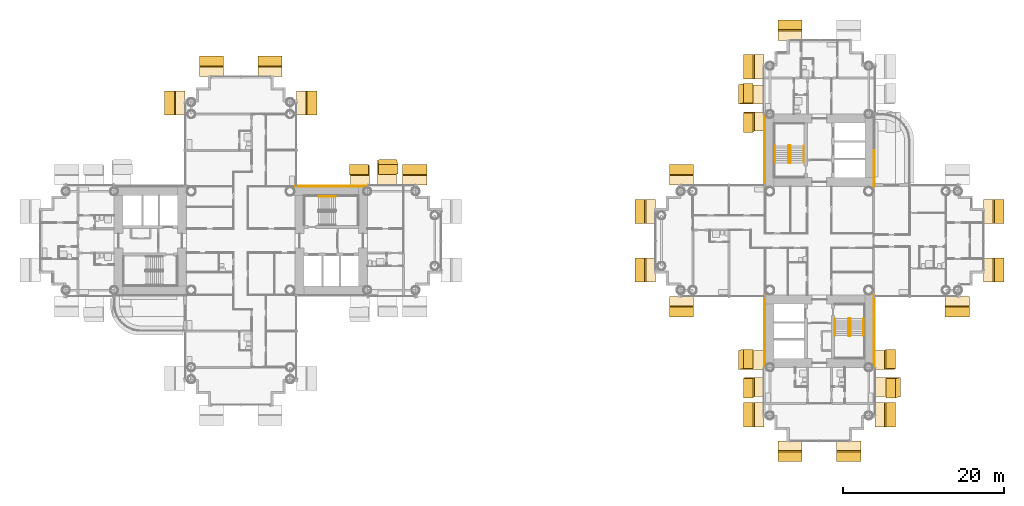
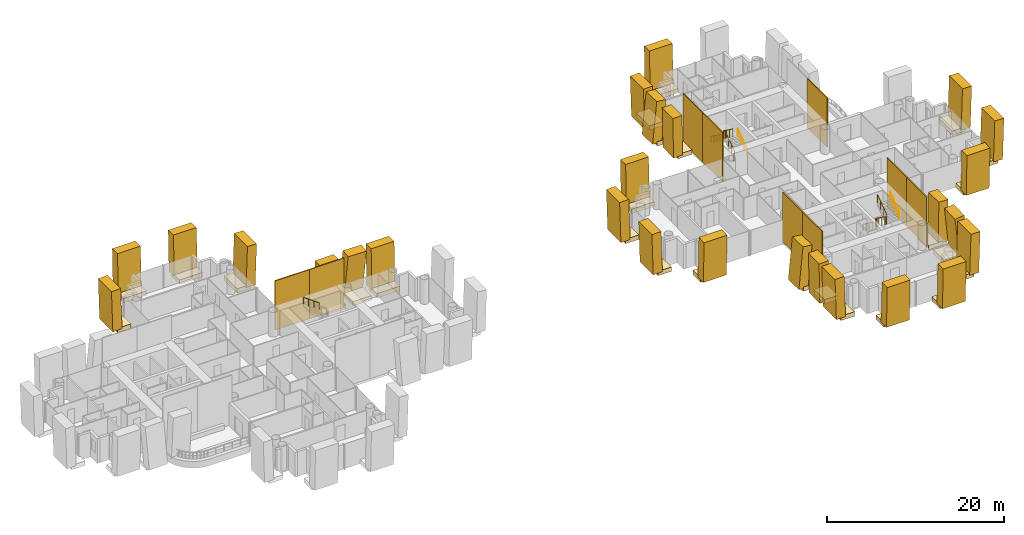
# One storey, part 23 of 25: 61 coverings, 7 railings.
"""IFC4 building model written with IfcOpenShell, lengths in metres."""

from ifc_helpers import new_model, si_unit, direction, frame, origin, origin_2d, place, context, subcontext, project, spatial, rectangle, circle, extrude, material, layer, layer_set, material_profile, profile_set, type_object, element, save


model = new_model("IFC4")

# Units and contexts
model_context = context("Model", 3, precision=1e-05, world=origin(), true_north=direction((0.0, 1.0)))
body_context = subcontext(model_context, "Body", "Model", "MODEL_VIEW")
ifc_project = project(units=[si_unit("LENGTHUNIT", "METRE"), si_unit("AREAUNIT", "SQUARE_METRE"), si_unit("VOLUMEUNIT", "CUBIC_METRE"), si_unit("PLANEANGLEUNIT", "RADIAN"), si_unit("MASSUNIT", "GRAM", prefix="KILO")], contexts=[model_context])

# Site, building, storey
site_placement = place(None, origin())
site = spatial("IfcSite", under=ifc_project, at=site_placement, CompositionType="ELEMENT")
building_placement = place(site_placement, origin())
building = spatial("IfcBuilding", under=site, at=building_placement, Name="Ipe Terrace Towers", CompositionType="ELEMENT")
storey_placement = place(building_placement, frame((0.0, 0.0, 65.300048828125)))
storey = spatial("IfcBuildingStorey", under=building, at=storey_placement, Name="L17", CompositionType="ELEMENT", Elevation=65.300048828125)

# Coverings
ifc_material_1 = material(Name="Concrete C50/60 precast, buff finish", Category="concrete")
ifc_layer = layer(ifc_material_1, 0.1201171875)
ifc_layer_set = layer_set([ifc_layer], Name="STONE CORE CLADDING 120")
covering_type_1 = type_object("IfcCoveringType", Name="STONE CORE CLADDING 120", PredefinedType="CLADDING", material=ifc_layer_set)
covering_1_placement = place(storey_placement, frame((-27.0, 6.81005859375, 0.0), z_axis=(0.0, 0.0, 1.0), x_axis=(-1.0, 0.0, 0.0)))
element("IfcCovering", 1, at=covering_1_placement, inside=storey, type_object=covering_type_1, Name="stone core cladding", PredefinedType="CLADDING", context=body_context, shape_type="SweptSolid", body=[
    extrude(rectangle(XDim=4.5, YDim=0.1201171875, at=origin_2d()), origin(), (0.0, 0.0, 1.0), 6.800048828125),
])
for number, where, z_axis, x_axis, name in (
    (2, (-22.4990234375, 6.81005859375, 0.0), (0.0, 0.0, 1.0), (-1.0, 0.0, 0.0), "stone core cladding"),
    (3, (29.18994140625, -13.5, 0.0), (0.0, 0.0, 1.0), (0.0, -1.0, 0.0), "stone core cladding"),
):
    element("IfcCovering", number, at=place(storey_placement, frame(where, z_axis=z_axis, x_axis=x_axis)), inside=storey, type_object=covering_type_1, Name=name, PredefinedType="CLADDING", context=body_context, shape_type="SweptSolid", body=[
        extrude(rectangle(XDim=4.5009765625, YDim=0.1201171875, at=origin_2d()), origin(), (0.0, 0.0, 1.0), 6.800048828125),
    ])
for number, where, z_axis, x_axis, name in (
    (4, (29.18994140625, -9.0, 0.0), (0.0, 0.0, 1.0), (0.0, -1.0, 0.0), "stone core cladding"),
    (5, (29.18994140625, 9.0, 0.0), (0.0, 0.0, 1.0), (0.0, -1.0, 0.0), "stone core cladding"),
):
    element("IfcCovering", number, at=place(storey_placement, frame(where, z_axis=z_axis, x_axis=x_axis)), inside=storey, type_object=covering_type_1, Name=name, PredefinedType="CLADDING", context=body_context, shape_type="SweptSolid", body=[
        extrude(rectangle(XDim=4.5, YDim=0.1201171875, at=origin_2d()), origin(), (0.0, 0.0, 1.0), 6.800048828125),
    ])
for number, where, z_axis, x_axis, name in (
    (6, (29.18994140625, 13.5, 0.0), (0.0, 0.0, 1.0), (0.0, -1.0, 0.0), "stone core cladding"),
    (7, (42.81005859375, -13.5, 0.0), (0.0, 0.0, 1.0), (0.0, 1.0, 0.0), "stone core cladding"),
):
    element("IfcCovering", number, at=place(storey_placement, frame(where, z_axis=z_axis, x_axis=x_axis)), inside=storey, type_object=covering_type_1, Name=name, PredefinedType="CLADDING", context=body_context, shape_type="SweptSolid", body=[
        extrude(rectangle(XDim=4.5009765625, YDim=0.1201171875, at=origin_2d()), origin(), (0.0, 0.0, 1.0), 6.800048828125),
    ])
for number, where, z_axis, x_axis, name in (
    (8, (42.81005859375, -9.0, 0.0), (0.0, 0.0, 1.0), (0.0, 1.0, 0.0), "stone core cladding"),
    (9, (42.81005859375, 9.0, 0.0), (0.0, 0.0, 1.0), (0.0, 1.0, 0.0), "stone core cladding"),
):
    element("IfcCovering", number, at=place(storey_placement, frame(where, z_axis=z_axis, x_axis=x_axis)), inside=storey, type_object=covering_type_1, Name=name, PredefinedType="CLADDING", context=body_context, shape_type="SweptSolid", body=[
        extrude(rectangle(XDim=4.5, YDim=0.1201171875, at=origin_2d()), origin(), (0.0, 0.0, 1.0), 6.800048828125),
    ])
ifc_material_2 = material(Name="Concrete C50/60 precast, buff finish", Category="concrete")
ifc_material_profile_1 = material_profile(ifc_material_2, rectangle(XDim=2.39990234375, YDim=1.199951171875, at=origin_2d()), Name="STONE FIN 2400 x 1200")
ifc_profile_set_1 = profile_set([ifc_material_profile_1], Name="Concrete C50/60 precast, buff finish")
covering_type_2 = type_object("IfcCoveringType", Name="STONE FIN 2400 x 1200", PredefinedType="USERDEFINED", material=ifc_profile_set_1)
covering_2_placement = place(storey_placement, frame((-21.156005859375, 8.693115234375, 0.0), z_axis=(-0.025701298827, 0.031582104491, 0.999170663057), x_axis=(-0.999669667059, -0.000811969321, -0.025688469539)))
element("IfcCovering", 10, at=covering_2_placement, inside=storey, type_object=covering_type_2, Name="stone fin", ObjectType="FIN", PredefinedType="USERDEFINED", context=body_context, shape_type="SweptSolid", body=[
    extrude(rectangle(XDim=2.39990234375, YDim=1.199951171875, at=origin_2d()), origin(), (0.0, 0.0, 1.0), 5.6044921875),
])
covering_3_placement = place(storey_placement, frame((-17.7939453125, 9.487060546875, 0.0), z_axis=(0.025559578294, -0.109472973473, 0.993661097174), x_axis=(-0.999673300612, -0.002798997469, 0.025405858689)))
element("IfcCovering", 11, at=covering_3_placement, inside=storey, type_object=covering_type_2, Name="stone fin", ObjectType="FIN", PredefinedType="USERDEFINED", context=body_context, shape_type="SweptSolid", body=[
    extrude(rectangle(XDim=2.39990234375, YDim=1.199951171875, at=origin_2d()), origin(), (0.0, 0.0, 1.0), 5.635498046875),
])
covering_4_placement = place(storey_placement, frame((27.306884765625, -18.2060546875, 0.0), z_axis=(-0.031582104491, -0.025701298827, 0.999170663057), x_axis=(0.000811969321, -0.999669667059, -0.025688469539)))
element("IfcCovering", 12, at=covering_4_placement, inside=storey, type_object=covering_type_2, Name="stone fin", ObjectType="FIN", PredefinedType="USERDEFINED", context=body_context, shape_type="SweptSolid", body=[
    extrude(rectangle(XDim=2.39990234375, YDim=1.199951171875, at=origin_2d()), origin(), (0.0, 0.0, 1.0), 5.6044921875),
])
for number, where, z_axis, x_axis, name in (
    (13, (26.512939453125, -14.843994140625, 0.0), (0.109472973473, 0.025559578294, 0.993661097174), (0.002798997469, -0.999673300612, 0.025405858689), "stone fin"),
    (14, (26.512939453125, 18.2060546875, 0.0), (0.109472973473, 0.025559578294, 0.993661097174), (0.002798997469, -0.999673300612, 0.025405858689), "stone fin"),
):
    element("IfcCovering", number, at=place(storey_placement, frame(where, z_axis=z_axis, x_axis=x_axis)), inside=storey, type_object=covering_type_2, Name=name, ObjectType="FIN", PredefinedType="USERDEFINED", context=body_context, shape_type="SweptSolid", body=[
        extrude(rectangle(XDim=2.39990234375, YDim=1.199951171875, at=origin_2d()), origin(), (0.0, 0.0, 1.0), 5.635498046875),
    ])
covering_5_placement = place(storey_placement, frame((27.306884765625, 14.843994140625, 0.0), z_axis=(-0.031582104491, -0.025701298827, 0.999170663057), x_axis=(0.000811969321, -0.999669667059, -0.025688469539)))
element("IfcCovering", 15, at=covering_5_placement, inside=storey, type_object=covering_type_2, Name="stone fin", ObjectType="FIN", PredefinedType="USERDEFINED", context=body_context, shape_type="SweptSolid", body=[
    extrude(rectangle(XDim=2.39990234375, YDim=1.199951171875, at=origin_2d()), origin(), (0.0, 0.0, 1.0), 5.6044921875),
])
covering_6_placement = place(storey_placement, frame((45.487060546875, -18.2060546875, 0.0), z_axis=(-0.109472973473, -0.025559578294, 0.993661097174), x_axis=(-0.002798997469, 0.999673300612, 0.025405858689)))
element("IfcCovering", 16, at=covering_6_placement, inside=storey, type_object=covering_type_2, Name="stone fin", ObjectType="FIN", PredefinedType="USERDEFINED", context=body_context, shape_type="SweptSolid", body=[
    extrude(rectangle(XDim=2.39990234375, YDim=1.199951171875, at=origin_2d()), origin(), (0.0, 0.0, 1.0), 5.635498046875),
])
covering_7_placement = place(storey_placement, frame((44.693115234375, -14.843994140625, 0.0), z_axis=(0.031582104491, 0.025701298827, 0.999170663057), x_axis=(-0.000811969321, 0.999669667059, -0.025688469539)))
element("IfcCovering", 17, at=covering_7_placement, inside=storey, type_object=covering_type_2, Name="stone fin", ObjectType="FIN", PredefinedType="USERDEFINED", context=body_context, shape_type="SweptSolid", body=[
    extrude(rectangle(XDim=2.39990234375, YDim=1.199951171875, at=origin_2d()), origin(), (0.0, 0.0, 1.0), 5.6044921875),
])
ifc_material_3 = material(Name="Concrete C50/60 precast, buff finish", Category="concrete")
ifc_material_profile_2 = material_profile(ifc_material_3, rectangle(XDim=3.0, YDim=1.199951171875, at=origin_2d()), Name="STONE FIN CORNER 3000 x 1200")
ifc_profile_set_2 = profile_set([ifc_material_profile_2], Name="Concrete C50/60 precast, buff finish")
covering_type_3 = type_object("IfcCoveringType", Name="STONE FIN CORNER 3000 x 1200", PredefinedType="USERDEFINED", material=ifc_profile_set_2)
for number, where, z_axis, x_axis, name in (
    (18, (-14.35009765625, 8.693115234375, 0.0), (0.0, 0.031592540548, 0.999500831106), (-1.0, 0.0, 0.0), "stone fin"),
    (19, (-27.306884765625, 17.14990234375, 0.0), (0.031592540548, 0.0, 0.999500831106), (0.0, 1.0, 0.0), "stone fin"),
    (20, (-32.35009765625, 22.193115234375, 0.0), (0.0, 0.031592540548, 0.999500831106), (-1.0, 0.0, 0.0), "stone fin"),
    (21, (-39.64990234375, 22.193115234375, 0.0), (0.0, 0.031592540548, 0.999500831106), (-1.0, 0.0, 0.0), "stone fin"),
    (22, (-44.693115234375, 17.14990234375, 0.0), (-0.031592540548, 0.0, 0.999500831106), (0.0, -1.0, 0.0), "stone fin"),
    (23, (13.806884765625, -3.64990234375, 0.0), (-0.031592540548, 0.0, 0.999500831106), (0.0, -1.0, 0.0), "stone fin"),
    (24, (13.806884765625, 3.64990234375, 0.0), (-0.031592540548, 0.0, 0.999500831106), (0.0, -1.0, 0.0), "stone fin"),
    (25, (18.85009765625, -8.693115234375, 0.0), (0.0, -0.031592540548, 0.999500831106), (1.0, 0.0, 0.0), "stone fin"),
    (26, (18.85009765625, 8.693115234375, 0.0), (0.0, 0.031592540548, 0.999500831106), (-1.0, 0.0, 0.0), "stone fin"),
    (27, (27.306884765625, -21.64990234375, 0.0), (-0.031592540548, 0.0, 0.999500831106), (0.0, -1.0, 0.0), "stone fin"),
    (28, (27.306884765625, 21.64990234375, 0.0), (-0.031592540548, 0.0, 0.999500831106), (0.0, -1.0, 0.0), "stone fin"),
    (29, (32.35009765625, -26.693115234375, 0.0), (0.0, -0.031592540548, 0.999500831106), (1.0, 0.0, 0.0), "stone fin"),
    (30, (32.35009765625, 26.693115234375, 0.0), (0.0, 0.031592540548, 0.999500831106), (-1.0, 0.0, 0.0), "stone fin"),
    (31, (39.64990234375, -26.693115234375, 0.0), (0.0, -0.031592540548, 0.999500831106), (1.0, 0.0, 0.0), "stone fin"),
    (32, (44.693115234375, -21.64990234375, 0.0), (0.031592540548, 0.0, 0.999500831106), (0.0, 1.0, 0.0), "stone fin"),
    (33, (53.14990234375, -8.693115234375, 0.0), (0.0, -0.031592540548, 0.999500831106), (1.0, 0.0, 0.0), "stone fin"),
    (34, (58.193115234375, -3.64990234375, 0.0), (0.031592540548, 0.0, 0.999500831106), (0.0, 1.0, 0.0), "stone fin"),
    (35, (58.193115234375, 3.64990234375, 0.0), (0.031592540548, 0.0, 0.999500831106), (0.0, 1.0, 0.0), "stone fin"),
):
    element("IfcCovering", number, at=place(storey_placement, frame(where, z_axis=z_axis, x_axis=x_axis)), inside=storey, type_object=covering_type_3, Name=name, ObjectType="FIN", PredefinedType="USERDEFINED", context=body_context, shape_type="SweptSolid", body=[
        extrude(rectangle(XDim=3.0, YDim=1.199951171875, at=origin_2d()), origin(), (0.0, 0.0, 1.0), 5.6025390625),
    ])
ifc_material_4 = material(Name="Concrete C50/60 precast, buff finish", Category="concrete")
covering_type_4 = type_object("IfcCoveringType", Name="STONE FIN SHELF 2400 x 600", PredefinedType="CLADDING", material=ifc_material_4)
covering_8_placement = place(storey_placement, frame((-21.156005859375, 7.77587890625, -0.35009765625), z_axis=(0.0, 0.0, 1.0), x_axis=(-1.0, 0.0, 0.0)))
element("IfcCovering", 36, at=covering_8_placement, inside=storey, type_object=covering_type_4, Name="stone fin shelf", PredefinedType="CLADDING", context=body_context, shape_type="SweptSolid", body=[
    extrude(rectangle(XDim=2.39990234375, YDim=1.8330078125, at=origin_2d()), origin(), (0.0, 0.0, 1.0), 0.60009765625),
])
covering_9_placement = place(storey_placement, frame((-17.7939453125, 8.200927734375, -0.35009765625), z_axis=(0.0, 0.0, 1.0), x_axis=(-1.0, 0.0, 0.0)))
element("IfcCovering", 37, at=covering_9_placement, inside=storey, type_object=covering_type_4, Name="stone fin shelf", PredefinedType="CLADDING", context=body_context, shape_type="SweptSolid", body=[
    extrude(rectangle(XDim=2.39990234375, YDim=2.571044921875, at=origin_2d()), origin(), (0.0, 0.0, 1.0), 0.60009765625),
])
covering_10_placement = place(storey_placement, frame((28.195068359375, -18.2060546875, -0.35009765625), z_axis=(0.0, 0.0, 1.0), x_axis=(0.0, -1.0, 0.0)))
element("IfcCovering", 38, at=covering_10_placement, inside=storey, type_object=covering_type_4, Name="stone fin shelf", PredefinedType="CLADDING", context=body_context, shape_type="SweptSolid", body=[
    extrude(rectangle(XDim=2.39990234375, YDim=1.777099609375, at=origin_2d()), origin(), (0.0, 0.0, 1.0), 0.60009765625),
])
covering_11_placement = place(storey_placement, frame((27.825927734375, -14.843994140625, -0.35009765625), z_axis=(0.0, 0.0, 1.0), x_axis=(0.0, -1.0, 0.0)))
element("IfcCovering", 39, at=covering_11_placement, inside=storey, type_object=covering_type_4, Name="stone fin shelf", PredefinedType="CLADDING", context=body_context, shape_type="SweptSolid", body=[
    extrude(rectangle(XDim=2.39990234375, YDim=2.626953125, at=origin_2d()), origin(), (0.0, 0.0, 1.0), 0.60009765625),
])
covering_12_placement = place(storey_placement, frame((27.799072265625, 18.2060546875, -0.35009765625), z_axis=(0.0, 0.0, 1.0), x_axis=(0.0, -1.0, 0.0)))
element("IfcCovering", 40, at=covering_12_placement, inside=storey, type_object=covering_type_4, Name="stone fin shelf", PredefinedType="CLADDING", context=body_context, shape_type="SweptSolid", body=[
    extrude(rectangle(XDim=2.39990234375, YDim=2.571044921875, at=origin_2d()), origin(), (0.0, 0.0, 1.0), 0.60009765625),
])
covering_13_placement = place(storey_placement, frame((28.222900390625, 14.843994140625, -0.35009765625), z_axis=(0.0, 0.0, 1.0), x_axis=(0.0, -1.0, 0.0)))
element("IfcCovering", 41, at=covering_13_placement, inside=storey, type_object=covering_type_4, Name="stone fin shelf", PredefinedType="CLADDING", context=body_context, shape_type="SweptSolid", body=[
    extrude(rectangle(XDim=2.39990234375, YDim=1.8330078125, at=origin_2d()), origin(), (0.0, 0.0, 1.0), 0.60009765625),
])
covering_14_placement = place(storey_placement, frame((44.201904296875, -18.2060546875, -0.35009765625), z_axis=(0.0, 0.0, 1.0), x_axis=(0.0, 1.0, 0.0)))
element("IfcCovering", 42, at=covering_14_placement, inside=storey, type_object=covering_type_4, Name="stone fin shelf", PredefinedType="CLADDING", context=body_context, shape_type="SweptSolid", body=[
    extrude(rectangle(XDim=2.39990234375, YDim=2.571044921875, at=origin_2d()), origin(), (0.0, 0.0, 1.0), 0.60009765625),
])
covering_15_placement = place(storey_placement, frame((43.77587890625, -14.843994140625, -0.35009765625), z_axis=(0.0, 0.0, 1.0), x_axis=(0.0, 1.0, 0.0)))
element("IfcCovering", 43, at=covering_15_placement, inside=storey, type_object=covering_type_4, Name="stone fin shelf", PredefinedType="CLADDING", context=body_context, shape_type="SweptSolid", body=[
    extrude(rectangle(XDim=2.39990234375, YDim=1.8330078125, at=origin_2d()), origin(), (0.0, 0.0, 1.0), 0.60009765625),
])
ifc_material_5 = material(Name="Concrete C50/60 precast, buff finish", Category="concrete")
covering_type_5 = type_object("IfcCoveringType", Name="STONE FIN SHELF 3000 x 600", PredefinedType="CLADDING", material=ifc_material_5)
for number, where, z_axis, x_axis, name in (
    (44, (-14.35009765625, 7.803955078125, -0.35009765625), (0.0, 0.0, 1.0), (-1.0, 0.0, 0.0), "stone fin shelf"),
    (45, (-28.195068359375, 17.14990234375, -0.35009765625), (0.0, 0.0, 1.0), (0.0, 1.0, 0.0), "stone fin shelf"),
    (46, (-32.35009765625, 21.304931640625, -0.35009765625), (0.0, 0.0, 1.0), (-1.0, 0.0, 0.0), "stone fin shelf"),
    (47, (-39.64990234375, 21.304931640625, -0.35009765625), (0.0, 0.0, 1.0), (-1.0, 0.0, 0.0), "stone fin shelf"),
    (48, (-43.803955078125, 17.14990234375, -0.35009765625), (0.0, 0.0, 1.0), (0.0, -1.0, 0.0), "stone fin shelf"),
    (49, (14.696044921875, -3.64990234375, -0.35009765625), (0.0, 0.0, 1.0), (0.0, -1.0, 0.0), "stone fin shelf"),
    (50, (14.696044921875, 3.64990234375, -0.35009765625), (0.0, 0.0, 1.0), (0.0, -1.0, 0.0), "stone fin shelf"),
    (51, (18.85009765625, -7.803955078125, -0.35009765625), (0.0, 0.0, 1.0), (1.0, 0.0, 0.0), "stone fin shelf"),
    (52, (18.85009765625, 7.803955078125, -0.35009765625), (0.0, 0.0, 1.0), (-1.0, 0.0, 0.0), "stone fin shelf"),
    (53, (28.195068359375, -21.64990234375, -0.35009765625), (0.0, 0.0, 1.0), (0.0, -1.0, 0.0), "stone fin shelf"),
    (54, (28.195068359375, 21.64990234375, -0.35009765625), (0.0, 0.0, 1.0), (0.0, -1.0, 0.0), "stone fin shelf"),
    (55, (32.35009765625, -25.804931640625, -0.35009765625), (0.0, 0.0, 1.0), (1.0, 0.0, 0.0), "stone fin shelf"),
    (56, (32.35009765625, 25.804931640625, -0.35009765625), (0.0, 0.0, 1.0), (-1.0, 0.0, 0.0), "stone fin shelf"),
    (57, (39.64990234375, -25.804931640625, -0.35009765625), (0.0, 0.0, 1.0), (1.0, 0.0, 0.0), "stone fin shelf"),
    (58, (43.803955078125, -21.64990234375, -0.35009765625), (0.0, 0.0, 1.0), (0.0, 1.0, 0.0), "stone fin shelf"),
    (59, (53.14990234375, -7.803955078125, -0.35009765625), (0.0, 0.0, 1.0), (1.0, 0.0, 0.0), "stone fin shelf"),
    (60, (57.303955078125, -3.64990234375, -0.35009765625), (0.0, 0.0, 1.0), (0.0, 1.0, 0.0), "stone fin shelf"),
    (61, (57.303955078125, 3.64990234375, -0.35009765625), (0.0, 0.0, 1.0), (0.0, 1.0, 0.0), "stone fin shelf"),
):
    element("IfcCovering", number, at=place(storey_placement, frame(where, z_axis=z_axis, x_axis=x_axis)), inside=storey, type_object=covering_type_5, Name=name, PredefinedType="CLADDING", context=body_context, shape_type="SweptSolid", body=[
        extrude(rectangle(XDim=3.0, YDim=1.777099609375, at=origin_2d()), origin(), (0.0, 0.0, 1.0), 0.60009765625),
    ])

# Railings
ifc_material_6 = material(Name="Steel S355", Category="steel")
railing_type_1 = type_object("IfcRailingType", Name="Stair guard 1100", PredefinedType="GUARDRAIL", material=ifc_material_6)
railing_1_placement = place(storey_placement, frame((32.199951171875, 9.64990234375, 0.0)))
element("IfcRailing", 62, at=railing_1_placement, inside=storey, type_object=railing_type_1, Name="L17 T2-ST1 stair guard 1", PredefinedType="GUARDRAIL", context=body_context, shape_type="SweptSolid", body=[
    extrude(circle(Radius=0.02392578125, at=origin_2d()), frame((0.0, 0.0, 1.076171875), z_axis=(1.0, 0.0, 0.0), x_axis=(0.0, 1.0, 0.0)), (0.0, 0.0, 1.0), 0.150146484375),
    extrude(circle(Radius=0.02392578125, at=origin_2d()), frame((0.150146484375, 0.0, 1.076171875), z_axis=(0.247173786771, 0.248385422981, 0.936594790069), x_axis=(-0.708833529934, 0.705375805398, 0.0)), (0.0, 0.0, 1.0), 0.201416015625),
    extrude(circle(Radius=0.02392578125, at=origin_2d()), frame((0.199951171875, 0.050048828125, 1.2646484375), z_axis=(0.0, 0.809023421508, 0.587776406001), x_axis=(-1.0, 0.0, 0.0)), (0.0, 0.0, 1.0), 2.571044921875),
    extrude(circle(Radius=0.02392578125, at=origin_2d()), frame((0.199951171875, 2.130126953125, 2.77587890625), z_axis=(-0.705375805398, 0.708833529934, 0.0), x_axis=(-0.708833529934, -0.705375805398, 0.0)), (0.0, 0.0, 1.0), 0.070556640625),
    extrude(circle(Radius=0.02392578125, at=origin_2d()), frame((0.150146484375, 2.18017578125, 2.77587890625), z_axis=(-1.0, 0.0, 0.0), x_axis=(0.0, -1.0, 0.0)), (0.0, 0.0, 1.0), 0.150146484375),
    extrude(circle(Radius=0.02392578125, at=origin_2d()), frame((0.0, 2.18017578125, 2.77587890625), z_axis=(-0.248029566107, -0.248029566107, 0.936462849596), x_axis=(0.707106781187, -0.707106781187, 0.0)), (0.0, 0.0, 1.0), 0.201904296875),
    extrude(circle(Radius=0.02392578125, at=origin_2d()), frame((-0.050048828125, 2.130126953125, 2.96484375), z_axis=(0.0, -0.809068575486, 0.587714250432), x_axis=(1.0, 0.0, 0.0)), (0.0, 0.0, 1.0), 2.571044921875),
    extrude(circle(Radius=0.02099609375, at=origin_2d()), origin(), (0.0, 0.0, 1.0), 1.052001953125),
    extrude(circle(Radius=0.02099609375, at=origin_2d()), frame((0.150146484375, 0.0, 0.0)), (0.0, 0.0, 1.0), 1.052001953125),
    extrude(circle(Radius=0.02099609375, at=origin_2d()), frame((0.199951171875, 0.050048828125, 0.188720703125)), (0.0, 0.0, 1.0), 1.052001953125),
    extrude(circle(Radius=0.02099609375, at=origin_2d()), frame((0.199951171875, 0.743408203125, 0.6923828125)), (0.0, 0.0, 1.0), 1.052001953125),
    extrude(circle(Radius=0.02099609375, at=origin_2d()), frame((0.199951171875, 1.436767578125, 1.1962890625)), (0.0, 0.0, 1.0), 1.052001953125),
    extrude(circle(Radius=0.02099609375, at=origin_2d()), frame((0.199951171875, 2.130126953125, 1.699951171875)), (0.0, 0.0, 1.0), 1.052001953125),
    extrude(circle(Radius=0.02099609375, at=origin_2d()), frame((0.150146484375, 2.18017578125, 1.699951171875)), (0.0, 0.0, 1.0), 1.052001953125),
    extrude(circle(Radius=0.02099609375, at=origin_2d()), frame((0.0, 2.18017578125, 1.699951171875)), (0.0, 0.0, 1.0), 1.052001953125),
    extrude(circle(Radius=0.02099609375, at=origin_2d()), frame((-0.050048828125, 2.130126953125, 1.888916015625)), (0.0, 0.0, 1.0), 1.052001953125),
    extrude(circle(Radius=0.02099609375, at=origin_2d()), frame((-0.050048828125, 1.436767578125, 2.392578125)), (0.0, 0.0, 1.0), 1.052001953125),
    extrude(circle(Radius=0.02099609375, at=origin_2d()), frame((-0.050048828125, 0.743408203125, 2.896240234375)), (0.0, 0.0, 1.0), 1.052001953125),
    extrude(circle(Radius=0.02099609375, at=origin_2d()), frame((-0.050048828125, 0.050048828125, 3.39990234375)), (0.0, 0.0, 1.0), 1.052001953125),
])
railing_2_placement = place(storey_placement, frame((39.800048828125, -9.64990234375, 0.0)))
element("IfcRailing", 63, at=railing_2_placement, inside=storey, type_object=railing_type_1, Name="L17 T2-ST2 stair guard 1", PredefinedType="GUARDRAIL", context=body_context, shape_type="SweptSolid", body=[
    extrude(circle(Radius=0.02392578125, at=origin_2d()), frame((0.0, 0.0, 1.076171875), z_axis=(-1.0, 0.0, 0.0), x_axis=(0.0, -1.0, 0.0)), (0.0, 0.0, 1.0), 0.150146484375),
    extrude(circle(Radius=0.02392578125, at=origin_2d()), frame((-0.150146484375, 0.0, 1.076171875), z_axis=(-0.247173786771, -0.248385422981, 0.936594790069), x_axis=(0.708833529934, -0.705375805398, 0.0)), (0.0, 0.0, 1.0), 0.201416015625),
    extrude(circle(Radius=0.02392578125, at=origin_2d()), frame((-0.199951171875, -0.050048828125, 1.2646484375), z_axis=(0.0, -0.809023421508, 0.587776406001), x_axis=(1.0, 0.0, 0.0)), (0.0, 0.0, 1.0), 2.571044921875),
    extrude(circle(Radius=0.02392578125, at=origin_2d()), frame((-0.199951171875, -2.130126953125, 2.77587890625), z_axis=(0.705375805398, -0.708833529934, 0.0), x_axis=(0.708833529934, 0.705375805398, 0.0)), (0.0, 0.0, 1.0), 0.070556640625),
    extrude(circle(Radius=0.02392578125, at=origin_2d()), frame((-0.150146484375, -2.18017578125, 2.77587890625), z_axis=(1.0, 0.0, 0.0), x_axis=(0.0, 1.0, 0.0)), (0.0, 0.0, 1.0), 0.150146484375),
    extrude(circle(Radius=0.02392578125, at=origin_2d()), frame((0.0, -2.18017578125, 2.77587890625), z_axis=(0.248029566107, 0.248029566107, 0.936462849596), x_axis=(-0.707106781187, 0.707106781187, 0.0)), (0.0, 0.0, 1.0), 0.201904296875),
    extrude(circle(Radius=0.02392578125, at=origin_2d()), frame((0.050048828125, -2.130126953125, 2.96484375), z_axis=(0.0, 0.809068575486, 0.587714250432), x_axis=(-1.0, 0.0, 0.0)), (0.0, 0.0, 1.0), 2.571044921875),
    extrude(circle(Radius=0.02099609375, at=origin_2d()), origin(), (0.0, 0.0, 1.0), 1.052001953125),
    extrude(circle(Radius=0.02099609375, at=origin_2d()), frame((-0.150146484375, 0.0, 0.0)), (0.0, 0.0, 1.0), 1.052001953125),
    extrude(circle(Radius=0.02099609375, at=origin_2d()), frame((-0.199951171875, -0.050048828125, 0.188720703125)), (0.0, 0.0, 1.0), 1.052001953125),
    extrude(circle(Radius=0.02099609375, at=origin_2d()), frame((-0.199951171875, -0.743408203125, 0.6923828125)), (0.0, 0.0, 1.0), 1.052001953125),
    extrude(circle(Radius=0.02099609375, at=origin_2d()), frame((-0.199951171875, -1.436767578125, 1.1962890625)), (0.0, 0.0, 1.0), 1.052001953125),
    extrude(circle(Radius=0.02099609375, at=origin_2d()), frame((-0.199951171875, -2.130126953125, 1.699951171875)), (0.0, 0.0, 1.0), 1.052001953125),
    extrude(circle(Radius=0.02099609375, at=origin_2d()), frame((-0.150146484375, -2.18017578125, 1.699951171875)), (0.0, 0.0, 1.0), 1.052001953125),
    extrude(circle(Radius=0.02099609375, at=origin_2d()), frame((0.0, -2.18017578125, 1.699951171875)), (0.0, 0.0, 1.0), 1.052001953125),
    extrude(circle(Radius=0.02099609375, at=origin_2d()), frame((0.050048828125, -2.130126953125, 1.888916015625)), (0.0, 0.0, 1.0), 1.052001953125),
    extrude(circle(Radius=0.02099609375, at=origin_2d()), frame((0.050048828125, -1.436767578125, 2.392578125)), (0.0, 0.0, 1.0), 1.052001953125),
    extrude(circle(Radius=0.02099609375, at=origin_2d()), frame((0.050048828125, -0.743408203125, 2.896240234375)), (0.0, 0.0, 1.0), 1.052001953125),
    extrude(circle(Radius=0.02099609375, at=origin_2d()), frame((0.050048828125, -0.050048828125, 3.39990234375)), (0.0, 0.0, 1.0), 1.052001953125),
])
ifc_material_7 = material(Name="Stainless steel grade 304", Category="steel")
railing_type_2 = type_object("IfcRailingType", Name="Stair handrail 900", PredefinedType="HANDRAIL", material=ifc_material_7)
railing_3_placement = place(storey_placement, frame((-24.219970703125, 5.5, 1.888916015625)))
element("IfcRailing", 64, at=railing_3_placement, inside=storey, type_object=railing_type_2, Name="L17 T1-ST1 stair handrail 2", PredefinedType="HANDRAIL", context=body_context, shape_type="SweptSolid", body=[
    extrude(circle(Radius=0.02392578125, at=origin_2d()), frame((0.0, 0.0, 0.8759765625), z_axis=(-0.809068575486, 0.0, 0.587714250432), x_axis=(0.0, -1.0, 0.0)), (0.0, 0.0, 1.0), 2.571044921875),
    extrude(circle(Radius=0.02099609375, at=origin_2d()), origin(), (0.0, 0.0, 1.0), 0.851806640625),
    extrude(circle(Radius=0.02099609375, at=origin_2d()), frame((-0.693359375, 0.0, 0.503662109375)), (0.0, 0.0, 1.0), 0.851806640625),
    extrude(circle(Radius=0.02099609375, at=origin_2d()), frame((-1.38671875, 0.0, 1.00732421875)), (0.0, 0.0, 1.0), 0.851806640625),
    extrude(circle(Radius=0.02099609375, at=origin_2d()), frame((-2.080078125, 0.0, 1.510986328125)), (0.0, 0.0, 1.0), 0.851806640625),
])
railing_4_placement = place(storey_placement, frame((34.050048828125, 9.699951171875, 0.188720703125)))
element("IfcRailing", 65, at=railing_4_placement, inside=storey, type_object=railing_type_2, Name="L17 T2-ST1 stair handrail 1", PredefinedType="HANDRAIL", context=body_context, shape_type="SweptSolid", body=[
    extrude(circle(Radius=0.02392578125, at=origin_2d()), frame((0.0, 0.0, 0.8759765625), z_axis=(0.0, 0.809023421508, 0.587776406001), x_axis=(-1.0, 0.0, 0.0)), (0.0, 0.0, 1.0), 2.571044921875),
    extrude(circle(Radius=0.02099609375, at=origin_2d()), origin(), (0.0, 0.0, 1.0), 0.851806640625),
    extrude(circle(Radius=0.02099609375, at=origin_2d()), frame((0.0, 0.693359375, 0.503662109375)), (0.0, 0.0, 1.0), 0.851806640625),
    extrude(circle(Radius=0.02099609375, at=origin_2d()), frame((0.0, 1.38671875, 1.007568359375)), (0.0, 0.0, 1.0), 0.851806640625),
    extrude(circle(Radius=0.02099609375, at=origin_2d()), frame((0.0, 2.080078125, 1.51123046875)), (0.0, 0.0, 1.0), 0.851806640625),
])
railing_5_placement = place(storey_placement, frame((30.5, 11.780029296875, 1.888916015625)))
element("IfcRailing", 66, at=railing_5_placement, inside=storey, type_object=railing_type_2, Name="L17 T2-ST1 stair handrail 2", PredefinedType="HANDRAIL", context=body_context, shape_type="SweptSolid", body=[
    extrude(circle(Radius=0.02392578125, at=origin_2d()), frame((0.0, 0.0, 0.8759765625), z_axis=(0.0, -0.809068575486, 0.587714250432), x_axis=(1.0, 0.0, 0.0)), (0.0, 0.0, 1.0), 2.571044921875),
    extrude(circle(Radius=0.02099609375, at=origin_2d()), origin(), (0.0, 0.0, 1.0), 0.851806640625),
    extrude(circle(Radius=0.02099609375, at=origin_2d()), frame((0.0, -0.693359375, 0.503662109375)), (0.0, 0.0, 1.0), 0.851806640625),
    extrude(circle(Radius=0.02099609375, at=origin_2d()), frame((0.0, -1.38671875, 1.00732421875)), (0.0, 0.0, 1.0), 0.851806640625),
    extrude(circle(Radius=0.02099609375, at=origin_2d()), frame((0.0, -2.080078125, 1.510986328125)), (0.0, 0.0, 1.0), 0.851806640625),
])
railing_6_placement = place(storey_placement, frame((37.949951171875, -9.699951171875, 0.188720703125)))
element("IfcRailing", 67, at=railing_6_placement, inside=storey, type_object=railing_type_2, Name="L17 T2-ST2 stair handrail 1", PredefinedType="HANDRAIL", context=body_context, shape_type="SweptSolid", body=[
    extrude(circle(Radius=0.02392578125, at=origin_2d()), frame((0.0, 0.0, 0.8759765625), z_axis=(0.0, -0.809023421508, 0.587776406001), x_axis=(1.0, 0.0, 0.0)), (0.0, 0.0, 1.0), 2.571044921875),
    extrude(circle(Radius=0.02099609375, at=origin_2d()), origin(), (0.0, 0.0, 1.0), 0.851806640625),
    extrude(circle(Radius=0.02099609375, at=origin_2d()), frame((0.0, -0.693359375, 0.503662109375)), (0.0, 0.0, 1.0), 0.851806640625),
    extrude(circle(Radius=0.02099609375, at=origin_2d()), frame((0.0, -1.38671875, 1.007568359375)), (0.0, 0.0, 1.0), 0.851806640625),
    extrude(circle(Radius=0.02099609375, at=origin_2d()), frame((0.0, -2.080078125, 1.51123046875)), (0.0, 0.0, 1.0), 0.851806640625),
])
railing_7_placement = place(storey_placement, frame((41.5, -11.780029296875, 1.888916015625)))
element("IfcRailing", 68, at=railing_7_placement, inside=storey, type_object=railing_type_2, Name="L17 T2-ST2 stair handrail 2", PredefinedType="HANDRAIL", context=body_context, shape_type="SweptSolid", body=[
    extrude(circle(Radius=0.02392578125, at=origin_2d()), frame((0.0, 0.0, 0.8759765625), z_axis=(0.0, 0.809068575486, 0.587714250432), x_axis=(-1.0, 0.0, 0.0)), (0.0, 0.0, 1.0), 2.571044921875),
    extrude(circle(Radius=0.02099609375, at=origin_2d()), origin(), (0.0, 0.0, 1.0), 0.851806640625),
    extrude(circle(Radius=0.02099609375, at=origin_2d()), frame((0.0, 0.693359375, 0.503662109375)), (0.0, 0.0, 1.0), 0.851806640625),
    extrude(circle(Radius=0.02099609375, at=origin_2d()), frame((0.0, 1.38671875, 1.00732421875)), (0.0, 0.0, 1.0), 0.851806640625),
    extrude(circle(Radius=0.02099609375, at=origin_2d()), frame((0.0, 2.080078125, 1.510986328125)), (0.0, 0.0, 1.0), 0.851806640625),
])

save(model, "model.ifc")
